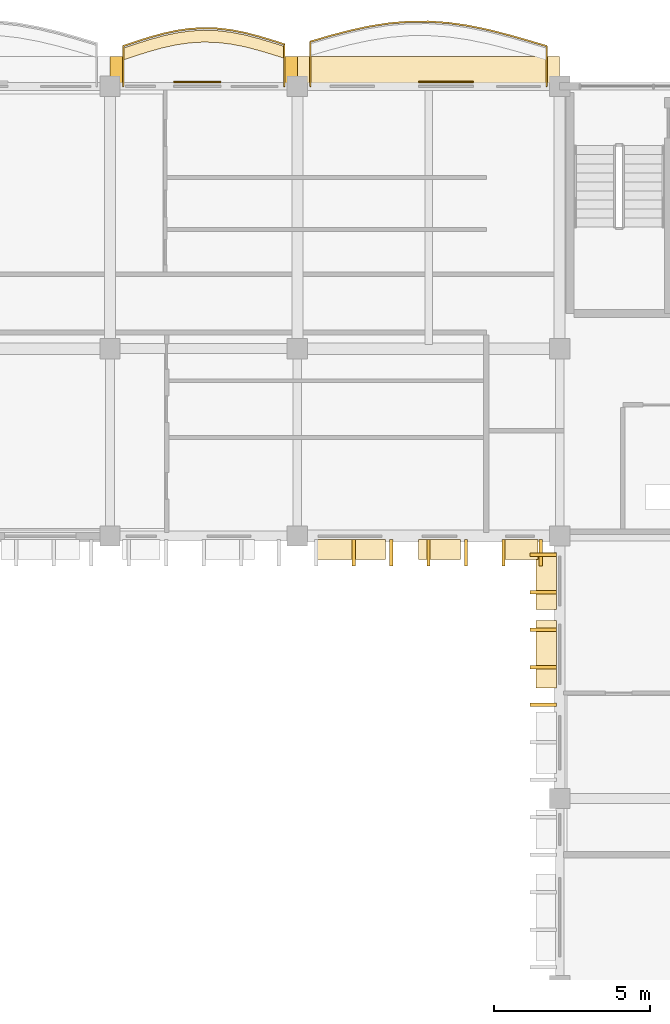
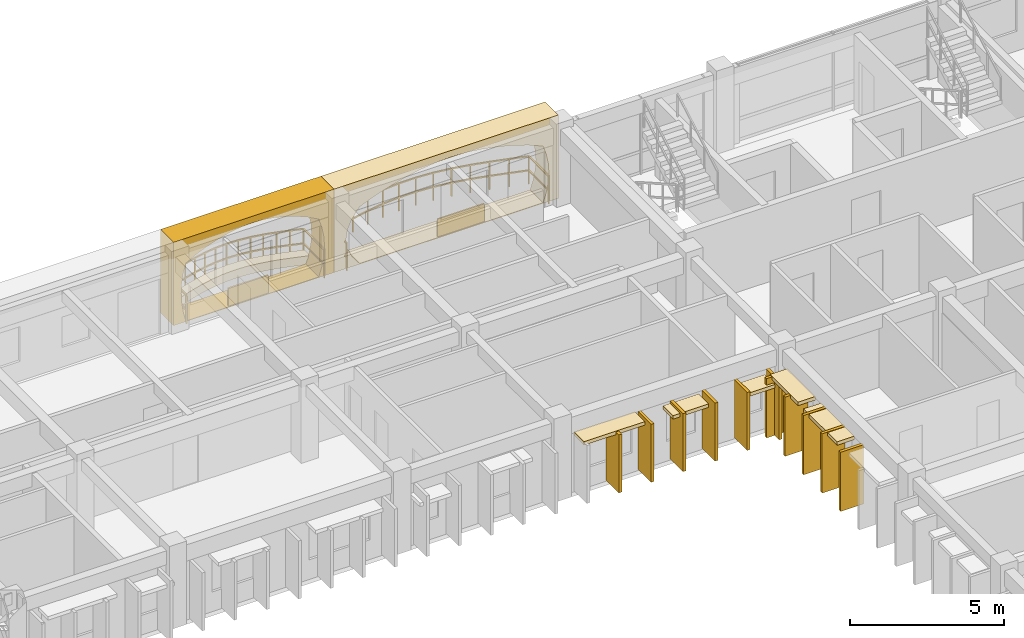
# One storey, part 98 of 101: 21 coverings, 2 railings.
"""IFC4 building model written with IfcOpenShell, lengths in metres."""

from ifc_helpers import new_model, si_unit, direction, frame, origin, origin_2d, place, context, subcontext, project, spatial, polyline, rectangle, outline, extrude, material, layer, layer_set, type_object, element, save


model = new_model("IFC4")

# Units and contexts
model_context = context("Model", 3, precision=1e-05, world=origin(), true_north=direction((0.0, 1.0)))
body_context = subcontext(model_context, "Body", "Model", "MODEL_VIEW")
ifc_project = project(units=[si_unit("LENGTHUNIT", "METRE"), si_unit("AREAUNIT", "SQUARE_METRE"), si_unit("VOLUMEUNIT", "CUBIC_METRE"), si_unit("PLANEANGLEUNIT", "RADIAN"), si_unit("MASSUNIT", "GRAM", prefix="KILO"), si_unit("THERMODYNAMICTEMPERATUREUNIT", "KELVIN")], contexts=[model_context])

# Site, building, storey
site_placement = place(None, origin())
site = spatial("IfcSite", under=ifc_project, at=site_placement, CompositionType="ELEMENT")
building_placement = place(site_placement, origin())
building = spatial("IfcBuilding", under=site, at=building_placement, Name="Thalorik Housing Commons", CompositionType="ELEMENT")
storey_placement = place(building_placement, frame((0.0, 0.0, 8.10009765625)))
storey = spatial("IfcBuildingStorey", under=building, at=storey_placement, Name="L02", CompositionType="ELEMENT", Elevation=8.10009765625)

# Coverings
ifc_material_1 = material(Name="Cobalt blue glazed ceramic facade tile panel", Category="masonry")
ifc_layer_1 = layer(ifc_material_1, 0.06005859375, Name="Cobalt blue glazed ceramic facade tile panel", Category="masonry")
ifc_layer_set_1 = layer_set([ifc_layer_1], Name="Cobalt blue glazed ceramic facade tile panel")
covering_type_1 = type_object("IfcCoveringType", Name="ARC-CLD-BLU-60", PredefinedType="CLADDING", material=ifc_layer_set_1)
covering_1_placement = place(storey_placement, frame((140.7998046875, 123.737548828125, 0.0498046875), z_axis=(0.0, 0.0, 1.0), x_axis=(-1.0, 0.0, 0.0)))
element("IfcCovering", 1, at=covering_1_placement, inside=storey, type_object=covering_type_1, Name="L02 De Stijl Recessed Window Spandrel 1663", PredefinedType="CLADDING", context=body_context, shape_type="SweptSolid", body=[
    extrude(rectangle(XDim=1.5, YDim=0.06005859375, at=origin_2d()), origin(), (0.0, 0.0, 1.0), 0.699951171875),
])
ifc_material_2 = material(Name="Precast concrete C40/50", Category="concrete")
ifc_layer_2 = layer(ifc_material_2, 0.85009765625, Name="Precast concrete C40/50", Category="concrete")
ifc_layer_set_2 = layer_set([ifc_layer_2], Name="Precast concrete C40/50")
covering_type_2 = type_object("IfcCoveringType", Name="ARC-CLD-CUSH-850", PredefinedType="CLADDING", material=ifc_layer_set_2)
covering_2_placement = place(storey_placement, frame((148.199951171875, 124.12744140625, 0.0), z_axis=(0.0, 0.0, 1.0), x_axis=(-1.0, 0.0, 0.0)))
element("IfcCovering", 2, at=covering_2_placement, inside=storey, type_object=covering_type_2, Name="L02 White Precast Curved Cushion Bay Frame 1660", PredefinedType="CLADDING", context=body_context, shape_type="SweptSolid", body=[
    extrude(outline(polyline([(-4.199951171875, 0.0), (4.199951171875, 0.0), (4.199951171875, 3.300048828125), (-4.199951171875, 3.300048828125), (-4.199951171875, 0.0)]), holes=[polyline([(3.239990234375, 0.02490234375), (3.523193359375, 0.399169921875), (3.693359375, 0.773193359375), (3.75, 1.1474609375), (3.693359375, 1.521728515625), (3.523193359375, 1.895751953125), (3.239990234375, 2.27001953125), (2.66748046875, 2.50439453125), (2.094970703125, 2.6884765625), (1.5224609375, 2.837646484375), (0.949951171875, 2.948486328125), (0.37744140625, 3.016845703125), (-0.195068359375, 3.0400390625), (-0.767578125, 3.016845703125), (-1.340087890625, 2.948486328125), (-1.91259765625, 2.837646484375), (-2.485107421875, 2.6884765625), (-3.0576171875, 2.50439453125), (-3.6298828125, 2.27001953125), (-3.750244140625, 1.895751953125), (-3.822509765625, 1.521728515625), (-3.8466796875, 1.1474609375), (-3.822509765625, 0.773193359375), (-3.750244140625, 0.399169921875), (-3.6298828125, 0.02490234375), (3.239990234375, 0.02490234375)])]), frame((0.0, 0.425048828125, 0.0), z_axis=(0.0, -1.0, 0.0), x_axis=(1.0, 0.0, 0.0)), (0.0, 0.0, 1.0), 0.85009765625),
])
covering_3_placement = place(storey_placement, frame((141.0, 124.12744140625, 0.0), z_axis=(0.0, 0.0, 1.0), x_axis=(-1.0, 0.0, 0.0)))
element("IfcCovering", 3, at=covering_3_placement, inside=storey, type_object=covering_type_2, Name="L02 White Precast Curved Cushion Bay Frame 1662", PredefinedType="CLADDING", context=body_context, shape_type="SweptSolid", body=[
    extrude(outline(polyline([(-3.0, 0.0), (3.0, 0.0), (3.0, 3.300048828125), (-3.0, 3.300048828125), (-3.0, 0.0)]), holes=[polyline([(2.545166015625, 0.02490234375), (2.64111328125, 0.407470703125), (2.69873046875, 0.7900390625), (2.718017578125, 1.172607421875), (2.69873046875, 1.554931640625), (2.64111328125, 1.9375), (2.545166015625, 2.320068359375), (2.130615234375, 2.539306640625), (1.716064453125, 2.711181640625), (1.301513671875, 2.8505859375), (0.88671875, 2.954345703125), (0.47216796875, 3.018310546875), (0.0576171875, 3.0400390625), (-0.35693359375, 3.018310546875), (-0.771484375, 2.954345703125), (-1.186279296875, 2.8505859375), (-1.600830078125, 2.711181640625), (-2.015380859375, 2.539306640625), (-2.429931640625, 2.320068359375), (-2.55029296875, 1.9375), (-2.62255859375, 1.554931640625), (-2.646484375, 1.172607421875), (-2.62255859375, 0.7900390625), (-2.55029296875, 0.407470703125), (-2.429931640625, 0.02490234375), (2.545166015625, 0.02490234375)])]), frame((0.0, 0.425048828125, 0.0), z_axis=(0.0, -1.0, 0.0), x_axis=(1.0, 0.0, 0.0)), (0.0, 0.0, 1.0), 0.85009765625),
])
ifc_layer_3 = layer(ifc_material_2, 0.85009765625, Name="Precast concrete C40/50", Category="concrete")
ifc_layer_set_3 = layer_set([ifc_layer_3], Name="Precast concrete C40/50")
covering_type_3 = type_object("IfcCoveringType", Name="ARC-CLD-FIN-850", PredefinedType="CLADDING", material=ifc_layer_set_3)
for number, where, z_axis, x_axis, name in (
    (4, (145.800048828125, 108.672607421875, 0.0400390625), (0.0, 0.0, 1.0), (1.0, 0.0, 0.0), "L02 Courtyard Precast Vertical Brise-Soleil Fin 1772"),
    (5, (147.0, 108.672607421875, 0.0400390625), (0.0, 0.0, 1.0), (1.0, 0.0, 0.0), "L02 Courtyard Precast Vertical Brise-Soleil Fin 1773"),
    (6, (148.199951171875, 108.672607421875, 0.0400390625), (0.0, 0.0, 1.0), (1.0, 0.0, 0.0), "L02 Courtyard Precast Vertical Brise-Soleil Fin 1774"),
    (7, (149.39990234375, 108.672607421875, 0.0400390625), (0.0, 0.0, 1.0), (1.0, 0.0, 0.0), "L02 Courtyard Precast Vertical Brise-Soleil Fin 1775"),
    (8, (150.60009765625, 108.672607421875, 0.0400390625), (0.0, 0.0, 1.0), (1.0, 0.0, 0.0), "L02 Courtyard Precast Vertical Brise-Soleil Fin 1776"),
    (9, (151.800048828125, 108.672607421875, 0.0400390625), (0.0, 0.0, 1.0), (1.0, 0.0, 0.0), "L02 Courtyard Precast Vertical Brise-Soleil Fin 1777"),
):
    element("IfcCovering", number, at=place(storey_placement, frame(where, z_axis=z_axis, x_axis=x_axis)), inside=storey, type_object=covering_type_3, Name=name, PredefinedType="CLADDING", context=body_context, shape_type="SweptSolid", body=[
        extrude(rectangle(XDim=0.110107421875, YDim=0.85009765625, at=origin_2d()), origin(), (0.0, 0.0, 1.0), 2.294921875),
    ])
for number, where, z_axis, x_axis, name in (
    (10, (151.87255859375, 108.60009765625, 0.0400390625), (0.0, 0.0, 1.0), (0.0, -1.0, 0.0), "L02 Courtyard Precast Vertical Brise-Soleil Fin 1781"),
    (11, (151.87255859375, 107.39990234375, 0.0400390625), (0.0, 0.0, 1.0), (0.0, -1.0, 0.0), "L02 Courtyard Precast Vertical Brise-Soleil Fin 1782"),
    (12, (151.87255859375, 106.199951171875, 0.0400390625), (0.0, 0.0, 1.0), (0.0, -1.0, 0.0), "L02 Courtyard Precast Vertical Brise-Soleil Fin 1783"),
    (13, (151.87255859375, 105.0, 0.0400390625), (0.0, 0.0, 1.0), (0.0, -1.0, 0.0), "L02 Courtyard Precast Vertical Brise-Soleil Fin 1784"),
    (14, (151.87255859375, 103.800048828125, 0.0400390625), (0.0, 0.0, 1.0), (0.0, -1.0, 0.0), "L02 Courtyard Precast Vertical Brise-Soleil Fin 1785"),
):
    element("IfcCovering", number, at=place(storey_placement, frame(where, z_axis=z_axis, x_axis=x_axis)), inside=storey, type_object=covering_type_3, Name=name, PredefinedType="CLADDING", context=body_context, shape_type="SweptSolid", body=[
        extrude(rectangle(XDim=0.110107421875, YDim=0.85009765625, at=origin_2d()), origin(), (0.0, 0.0, 1.0), 2.344970703125),
    ])
ifc_layer_4 = layer(ifc_material_2, 0.64990234375, Name="Precast concrete C40/50", Category="concrete")
ifc_layer_set_4 = layer_set([ifc_layer_4], Name="Precast concrete C40/50")
covering_type_4 = type_object("IfcCoveringType", Name="ARC-CLD-HOOD-650", PredefinedType="CLADDING", material=ifc_layer_set_4)
covering_4_placement = place(storey_placement, frame((145.68994140625, 108.7724609375, 2.22509765625), z_axis=(0.0, 0.0, 1.0), x_axis=(1.0, 0.0, 0.0)))
element("IfcCovering", 15, at=covering_4_placement, inside=storey, type_object=covering_type_4, Name="L02 Courtyard Precast Window Sun-Hood 1778", PredefinedType="CLADDING", context=body_context, shape_type="SweptSolid", body=[
    extrude(rectangle(XDim=2.280029296875, YDim=0.64990234375, at=origin_2d()), origin(), (0.0, 0.0, 1.0), 0.139892578125),
])
covering_5_placement = place(storey_placement, frame((148.550048828125, 108.7724609375, 2.08984375), z_axis=(0.0, 0.0, 1.0), x_axis=(1.0, 0.0, 0.0)))
element("IfcCovering", 16, at=covering_5_placement, inside=storey, type_object=covering_type_4, Name="L02 Courtyard Precast Window Sun-Hood 1779", PredefinedType="CLADDING", context=body_context, shape_type="SweptSolid", body=[
    extrude(rectangle(XDim=1.340087890625, YDim=0.64990234375, at=origin_2d()), origin(), (0.0, 0.0, 1.0), 0.139892578125),
])
covering_6_placement = place(storey_placement, frame((151.1298828125, 108.7724609375, 1.98974609375), z_axis=(0.0, 0.0, 1.0), x_axis=(1.0, 0.0, 0.0)))
element("IfcCovering", 17, at=covering_6_placement, inside=storey, type_object=covering_type_4, Name="L02 Courtyard Precast Window Sun-Hood 1780", PredefinedType="CLADDING", context=body_context, shape_type="SweptSolid", body=[
    extrude(rectangle(XDim=1.139892578125, YDim=0.64990234375, at=origin_2d()), origin(), (0.0, 0.0, 1.0), 0.139892578125),
])
covering_7_placement = place(storey_placement, frame((151.972412109375, 107.764892578125, 2.27001953125), z_axis=(0.0, 0.0, 1.0), x_axis=(0.0, -1.0, 0.0)))
element("IfcCovering", 18, at=covering_7_placement, inside=storey, type_object=covering_type_4, Name="L02 Courtyard Precast Window Sun-Hood 1788", PredefinedType="CLADDING", context=body_context, shape_type="SweptSolid", body=[
    extrude(rectangle(XDim=1.820068359375, YDim=0.64990234375, at=origin_2d()), origin(), (0.0, 0.0, 1.0), 0.139892578125),
])
covering_8_placement = place(storey_placement, frame((151.972412109375, 105.4150390625, 2.22998046875), z_axis=(0.0, 0.0, 1.0), x_axis=(0.0, -1.0, 0.0)))
element("IfcCovering", 19, at=covering_8_placement, inside=storey, type_object=covering_type_4, Name="L02 Courtyard Precast Window Sun-Hood 1789", PredefinedType="CLADDING", context=body_context, shape_type="SweptSolid", body=[
    extrude(rectangle(XDim=2.159912109375, YDim=0.64990234375, at=origin_2d()), origin(), (0.0, 0.0, 1.0), 0.139892578125),
])
ifc_material_3 = material(Name="Terracotta red mineral fibre-cement panel", Category="masonry")
ifc_layer_5 = layer(ifc_material_3, 0.054931640625, Name="Terracotta red mineral fibre-cement panel", Category="masonry")
ifc_layer_set_5 = layer_set([ifc_layer_5], Name="Terracotta red mineral fibre-cement panel")
covering_type_5 = type_object("IfcCoveringType", Name="ARC-CLD-RED-55", PredefinedType="CLADDING", material=ifc_layer_set_5)
covering_9_placement = place(storey_placement, frame((148.760009765625, 123.735107421875, 0.0498046875), z_axis=(0.0, 0.0, 1.0), x_axis=(-1.0, 0.0, 0.0)))
element("IfcCovering", 20, at=covering_9_placement, inside=storey, type_object=covering_type_5, Name="L02 De Stijl Recessed Window Spandrel 1661", PredefinedType="CLADDING", context=body_context, shape_type="SweptSolid", body=[
    extrude(rectangle(XDim=1.75, YDim=0.054931640625, at=origin_2d()), origin(), (0.0, 0.0, 1.0), 0.699951171875),
])
ifc_material_4 = material(Name="Planted vegetated substrate and terracotta trough", Category="masonry")
ifc_layer_6 = layer(ifc_material_4, 0.340087890625, Name="Planted vegetated substrate and terracotta trough", Category="masonry")
ifc_layer_set_6 = layer_set([ifc_layer_6], Name="Planted vegetated substrate and terracotta trough")
covering_type_6 = type_object("IfcCoveringType", Name="ARC-COV-PLANTER", PredefinedType="USERDEFINED", material=ifc_layer_set_6)
covering_10_placement = place(storey_placement, origin())
element("IfcCovering", 21, at=covering_10_placement, inside=storey, type_object=covering_type_6, Name="L02 Balcony Slab-Edge Planted Trough 5425", ObjectType="PLANTER", PredefinedType="USERDEFINED", context=body_context, shape_type="SweptSolid", body=[
    extrude(outline(polyline([(143.580078125, 124.877197265625), (143.14990234375, 125.014404296875), (142.719970703125, 125.141845703125), (142.2900390625, 125.2509765625), (141.860107421875, 125.333251953125), (141.429931640625, 125.383056640625), (141.0, 125.39599609375), (140.570068359375, 125.37158203125), (140.139892578125, 125.310791015625), (139.7099609375, 125.218017578125), (139.280029296875, 125.099853515625), (138.85009765625, 124.964599609375), (138.419921875, 124.82177734375), (138.419921875, 124.441650390625), (138.85009765625, 124.584716796875), (139.280029296875, 124.719970703125), (139.7099609375, 124.838134765625), (140.139892578125, 124.930908203125), (140.570068359375, 124.991455078125), (141.0, 125.01611328125), (141.429931640625, 125.0029296875), (141.860107421875, 124.953369140625), (142.2900390625, 124.87109375), (142.719970703125, 124.761962890625), (143.14990234375, 124.63427734375), (143.580078125, 124.497314453125), (143.580078125, 124.877197265625)])), origin(), (0.0, 0.0, 1.0), 0.33984375),
])

# Railings
ifc_material_5 = material(Name="Steel S355", Category="steel")
railing_type_1 = type_object("IfcRailingType", Name="ARC-RL-BAL-112", PredefinedType="BALUSTRADE", material=ifc_material_5)
railing_1_placement = place(storey_placement, frame((151.97998046875, 123.60009765625, 0.0)))
element("IfcRailing", 22, at=railing_1_placement, inside=storey, type_object=railing_type_1, Name="L02 Cushion Balcony Guardrail 110", PredefinedType="BALUSTRADE", context=body_context, shape_type="SweptSolid", body=[
    extrude(rectangle(XDim=0.050048828125, YDim=0.050048828125, at=origin_2d()), frame((0.0, 0.0, 1.09521484375), z_axis=(0.0, 1.0, 0.0), x_axis=(-1.0, 0.0, 0.0)), (0.0, 0.0, 1.0), 1.289306640625),
    extrude(rectangle(XDim=0.050048828125, YDim=0.050048828125, at=origin_2d()), frame((0.0, 0.0, 0.53515625), z_axis=(0.0, 1.0, 0.0), x_axis=(-1.0, 0.0, 0.0)), (0.0, 0.0, 1.0), 1.289306640625),
    extrude(rectangle(XDim=0.050048828125, YDim=0.050048828125, at=origin_2d()), frame((0.0, 1.289306640625, 1.09521484375), z_axis=(-0.959347736603, 0.282226717861, 0.0), x_axis=(-0.282226717861, -0.959347736603, 0.0)), (0.0, 0.0, 1.0), 0.656494140625),
    extrude(rectangle(XDim=0.050048828125, YDim=0.050048828125, at=origin_2d()), frame((0.0, 1.289306640625, 0.53515625), z_axis=(-0.959347736603, 0.282226717861, 0.0), x_axis=(-0.282226717861, -0.959347736603, 0.0)), (0.0, 0.0, 1.0), 0.656494140625),
    extrude(rectangle(XDim=0.050048828125, YDim=0.050048828125, at=origin_2d()), frame((-0.6298828125, 1.474609375, 1.09521484375), z_axis=(-0.962056630999, 0.272849846529, 0.0), x_axis=(-0.272849846529, -0.962056630999, 0.0)), (0.0, 0.0, 1.0), 0.655029296875),
    extrude(rectangle(XDim=0.050048828125, YDim=0.050048828125, at=origin_2d()), frame((-0.6298828125, 1.474609375, 0.53515625), z_axis=(-0.962056630999, 0.272849846529, 0.0), x_axis=(-0.272849846529, -0.962056630999, 0.0)), (0.0, 0.0, 1.0), 0.655029296875),
    extrude(rectangle(XDim=0.050048828125, YDim=0.050048828125, at=origin_2d()), frame((-1.260009765625, 1.6533203125, 1.09521484375), z_axis=(-0.969520404283, 0.245010582788, 0.0), x_axis=(-0.245010582788, -0.969520404283, 0.0)), (0.0, 0.0, 1.0), 0.649658203125),
    extrude(rectangle(XDim=0.050048828125, YDim=0.050048828125, at=origin_2d()), frame((-1.260009765625, 1.6533203125, 0.53515625), z_axis=(-0.969520404283, 0.245010582788, 0.0), x_axis=(-0.245010582788, -0.969520404283, 0.0)), (0.0, 0.0, 1.0), 0.649658203125),
    extrude(rectangle(XDim=0.050048828125, YDim=0.050048828125, at=origin_2d()), frame((-1.889892578125, 1.8125, 1.09521484375), z_axis=(-0.979635255397, 0.200785373927, 0.0), x_axis=(-0.200785373927, -0.979635255397, 0.0)), (0.0, 0.0, 1.0), 0.643310546875),
    extrude(rectangle(XDim=0.050048828125, YDim=0.050048828125, at=origin_2d()), frame((-1.889892578125, 1.8125, 0.53515625), z_axis=(-0.979635255397, 0.200785373927, 0.0), x_axis=(-0.200785373927, -0.979635255397, 0.0)), (0.0, 0.0, 1.0), 0.643310546875),
    extrude(rectangle(XDim=0.050048828125, YDim=0.050048828125, at=origin_2d()), frame((-2.52001953125, 1.941650390625, 1.09521484375), z_axis=(-0.990033738759, 0.140830380668, 0.0), x_axis=(-0.140830380668, -0.990033738759, 0.0)), (0.0, 0.0, 1.0), 0.63623046875),
    extrude(rectangle(XDim=0.050048828125, YDim=0.050048828125, at=origin_2d()), frame((-2.52001953125, 1.941650390625, 0.53515625), z_axis=(-0.990033738759, 0.140830380668, 0.0), x_axis=(-0.140830380668, -0.990033738759, 0.0)), (0.0, 0.0, 1.0), 0.63623046875),
    extrude(rectangle(XDim=0.050048828125, YDim=0.050048828125, at=origin_2d()), frame((-3.14990234375, 2.03125, 1.09521484375), z_axis=(-0.997576972688, 0.069571427774, 0.0), x_axis=(-0.069571427774, -0.997576972688, 0.0)), (0.0, 0.0, 1.0), 0.631591796875),
    extrude(rectangle(XDim=0.050048828125, YDim=0.050048828125, at=origin_2d()), frame((-3.14990234375, 2.03125, 0.53515625), z_axis=(-0.997576972688, 0.069571427774, 0.0), x_axis=(-0.069571427774, -0.997576972688, 0.0)), (0.0, 0.0, 1.0), 0.631591796875),
    extrude(rectangle(XDim=0.050048828125, YDim=0.050048828125, at=origin_2d()), frame((-3.780029296875, 2.0751953125, 1.09521484375), z_axis=(-0.999972884343, -0.007364141396, 0.0), x_axis=(0.007364141396, -0.999972884343, 0.0)), (0.0, 0.0, 1.0), 0.6298828125),
    extrude(rectangle(XDim=0.050048828125, YDim=0.050048828125, at=origin_2d()), frame((-3.780029296875, 2.0751953125, 0.53515625), z_axis=(-0.999972884343, -0.007364141396, 0.0), x_axis=(0.007364141396, -0.999972884343, 0.0)), (0.0, 0.0, 1.0), 0.6298828125),
    extrude(rectangle(XDim=0.050048828125, YDim=0.050048828125, at=origin_2d()), frame((-4.409912109375, 2.070556640625, 1.09521484375), z_axis=(-0.996451941002, -0.084163705207, 0.0), x_axis=(0.084163705207, -0.996451941002, 0.0)), (0.0, 0.0, 1.0), 0.63232421875),
    extrude(rectangle(XDim=0.050048828125, YDim=0.050048828125, at=origin_2d()), frame((-4.409912109375, 2.070556640625, 0.53515625), z_axis=(-0.996451941002, -0.084163705207, 0.0), x_axis=(0.084163705207, -0.996451941002, 0.0)), (0.0, 0.0, 1.0), 0.63232421875),
    extrude(rectangle(XDim=0.050048828125, YDim=0.050048828125, at=origin_2d()), frame((-5.0400390625, 2.017333984375, 1.09521484375), z_axis=(-0.988019333947, -0.154330151775, 0.0), x_axis=(0.154330151775, -0.988019333947, 0.0)), (0.0, 0.0, 1.0), 0.637451171875),
    extrude(rectangle(XDim=0.050048828125, YDim=0.050048828125, at=origin_2d()), frame((-5.0400390625, 2.017333984375, 0.53515625), z_axis=(-0.988019333947, -0.154330151775, 0.0), x_axis=(0.154330151775, -0.988019333947, 0.0)), (0.0, 0.0, 1.0), 0.637451171875),
    extrude(rectangle(XDim=0.050048828125, YDim=0.050048828125, at=origin_2d()), frame((-5.669921875, 1.9189453125, 1.09521484375), z_axis=(-0.977261717402, -0.212036637638, 0.0), x_axis=(0.212036637638, -0.977261717402, 0.0)), (0.0, 0.0, 1.0), 0.644775390625),
    extrude(rectangle(XDim=0.050048828125, YDim=0.050048828125, at=origin_2d()), frame((-5.669921875, 1.9189453125, 0.53515625), z_axis=(-0.977261717402, -0.212036637638, 0.0), x_axis=(0.212036637638, -0.977261717402, 0.0)), (0.0, 0.0, 1.0), 0.644775390625),
    extrude(rectangle(XDim=0.050048828125, YDim=0.050048828125, at=origin_2d()), frame((-6.300048828125, 1.7822265625, 1.09521484375), z_axis=(-0.967161884904, -0.254161146498, 0.0), x_axis=(0.254161146498, -0.967161884904, 0.0)), (0.0, 0.0, 1.0), 0.6513671875),
    extrude(rectangle(XDim=0.050048828125, YDim=0.050048828125, at=origin_2d()), frame((-6.300048828125, 1.7822265625, 0.53515625), z_axis=(-0.967161884904, -0.254161146498, 0.0), x_axis=(0.254161146498, -0.967161884904, 0.0)), (0.0, 0.0, 1.0), 0.6513671875),
    extrude(rectangle(XDim=0.050048828125, YDim=0.050048828125, at=origin_2d()), frame((-6.929931640625, 1.61669921875, 1.09521484375), z_axis=(-0.960278714224, -0.279042632959, 0.0), x_axis=(0.279042632959, -0.960278714224, 0.0)), (0.0, 0.0, 1.0), 0.65625),
    extrude(rectangle(XDim=0.050048828125, YDim=0.050048828125, at=origin_2d()), frame((-6.929931640625, 1.61669921875, 0.53515625), z_axis=(-0.960278714224, -0.279042632959, 0.0), x_axis=(0.279042632959, -0.960278714224, 0.0)), (0.0, 0.0, 1.0), 0.65625),
    extrude(rectangle(XDim=0.050048828125, YDim=0.050048828125, at=origin_2d()), frame((-7.56005859375, 1.43359375, 1.09521484375), z_axis=(0.0, -1.0, 0.0), x_axis=(1.0, 0.0, 0.0)), (0.0, 0.0, 1.0), 1.43359375),
    extrude(rectangle(XDim=0.050048828125, YDim=0.050048828125, at=origin_2d()), frame((-7.56005859375, 1.43359375, 0.53515625), z_axis=(0.0, -1.0, 0.0), x_axis=(1.0, 0.0, 0.0)), (0.0, 0.0, 1.0), 1.43359375),
    extrude(rectangle(XDim=0.0419921875, YDim=0.0419921875, at=origin_2d()), origin(), (0.0, 0.0, 1.0), 1.070068359375),
    extrude(rectangle(XDim=0.0419921875, YDim=0.0419921875, at=origin_2d()), frame((0.0, 1.289306640625, 0.0)), (0.0, 0.0, 1.0), 1.070068359375),
    extrude(rectangle(XDim=0.0419921875, YDim=0.0419921875, at=origin_2d()), frame((-0.6298828125, 1.474609375, 0.0)), (0.0, 0.0, 1.0), 1.070068359375),
    extrude(rectangle(XDim=0.0419921875, YDim=0.0419921875, at=origin_2d()), frame((-1.260009765625, 1.6533203125, 0.0)), (0.0, 0.0, 1.0), 1.070068359375),
    extrude(rectangle(XDim=0.0419921875, YDim=0.0419921875, at=origin_2d()), frame((-1.889892578125, 1.8125, 0.0)), (0.0, 0.0, 1.0), 1.070068359375),
    extrude(rectangle(XDim=0.0419921875, YDim=0.0419921875, at=origin_2d()), frame((-2.52001953125, 1.941650390625, 0.0)), (0.0, 0.0, 1.0), 1.070068359375),
    extrude(rectangle(XDim=0.0419921875, YDim=0.0419921875, at=origin_2d()), frame((-3.14990234375, 2.03125, 0.0)), (0.0, 0.0, 1.0), 1.070068359375),
    extrude(rectangle(XDim=0.0419921875, YDim=0.0419921875, at=origin_2d()), frame((-3.780029296875, 2.0751953125, 0.0)), (0.0, 0.0, 1.0), 1.070068359375),
    extrude(rectangle(XDim=0.0419921875, YDim=0.0419921875, at=origin_2d()), frame((-4.409912109375, 2.070556640625, 0.0)), (0.0, 0.0, 1.0), 1.070068359375),
    extrude(rectangle(XDim=0.0419921875, YDim=0.0419921875, at=origin_2d()), frame((-5.0400390625, 2.017333984375, 0.0)), (0.0, 0.0, 1.0), 1.070068359375),
    extrude(rectangle(XDim=0.0419921875, YDim=0.0419921875, at=origin_2d()), frame((-5.669921875, 1.9189453125, 0.0)), (0.0, 0.0, 1.0), 1.070068359375),
    extrude(rectangle(XDim=0.0419921875, YDim=0.0419921875, at=origin_2d()), frame((-6.300048828125, 1.7822265625, 0.0)), (0.0, 0.0, 1.0), 1.070068359375),
    extrude(rectangle(XDim=0.0419921875, YDim=0.0419921875, at=origin_2d()), frame((-6.929931640625, 1.61669921875, 0.0)), (0.0, 0.0, 1.0), 1.070068359375),
    extrude(rectangle(XDim=0.0419921875, YDim=0.0419921875, at=origin_2d()), frame((-7.56005859375, 1.43359375, 0.0)), (0.0, 0.0, 1.0), 1.070068359375),
    extrude(rectangle(XDim=0.0419921875, YDim=0.0419921875, at=origin_2d()), frame((-7.56005859375, 0.0, 0.0)), (0.0, 0.0, 1.0), 1.070068359375),
])
railing_type_2 = type_object("IfcRailingType", Name="ARC-RL-BAL-115", PredefinedType="BALUSTRADE", material=ifc_material_5)
railing_2_placement = place(storey_placement, frame((143.580078125, 123.60009765625, 0.0)))
element("IfcRailing", 23, at=railing_2_placement, inside=storey, type_object=railing_type_2, Name="L02 Cushion Balcony Guardrail 109", PredefinedType="BALUSTRADE", context=body_context, shape_type="SweptSolid", body=[
    extrude(rectangle(XDim=0.050048828125, YDim=0.050048828125, at=origin_2d()), frame((0.0, 0.0, 1.125), z_axis=(0.0, 1.0, 0.0), x_axis=(-1.0, 0.0, 0.0)), (0.0, 0.0, 1.0), 1.34716796875),
    extrude(rectangle(XDim=0.050048828125, YDim=0.050048828125, at=origin_2d()), frame((0.0, 0.0, 0.5498046875), z_axis=(0.0, 1.0, 0.0), x_axis=(-1.0, 0.0, 0.0)), (0.0, 0.0, 1.0), 1.34716796875),
    extrude(rectangle(XDim=0.050048828125, YDim=0.050048828125, at=origin_2d()), frame((0.0, 1.34716796875, 1.125), z_axis=(-0.952868945001, 0.303382223692, 0.0), x_axis=(-0.303382223692, -0.952868945001, 0.0)), (0.0, 0.0, 1.0), 0.451416015625),
    extrude(rectangle(XDim=0.050048828125, YDim=0.050048828125, at=origin_2d()), frame((0.0, 1.34716796875, 0.5498046875), z_axis=(-0.952868945001, 0.303382223692, 0.0), x_axis=(-0.303382223692, -0.952868945001, 0.0)), (0.0, 0.0, 1.0), 0.451416015625),
    extrude(rectangle(XDim=0.050048828125, YDim=0.050048828125, at=origin_2d()), frame((-0.43017578125, 1.484130859375, 1.125), z_axis=(-0.958616693349, 0.284699903817, 0.0), x_axis=(-0.284699903817, -0.958616693349, 0.0)), (0.0, 0.0, 1.0), 0.448486328125),
    extrude(rectangle(XDim=0.050048828125, YDim=0.050048828125, at=origin_2d()), frame((-0.43017578125, 1.484130859375, 0.5498046875), z_axis=(-0.958616693349, 0.284699903817, 0.0), x_axis=(-0.284699903817, -0.958616693349, 0.0)), (0.0, 0.0, 1.0), 0.448486328125),
    extrude(rectangle(XDim=0.050048828125, YDim=0.050048828125, at=origin_2d()), frame((-0.860107421875, 1.61181640625, 1.125), z_axis=(-0.969262026984, 0.246030735981, 0.0), x_axis=(-0.246030735981, -0.969262026984, 0.0)), (0.0, 0.0, 1.0), 0.443603515625),
    extrude(rectangle(XDim=0.050048828125, YDim=0.050048828125, at=origin_2d()), frame((-0.860107421875, 1.61181640625, 0.5498046875), z_axis=(-0.969262026984, 0.246030735981, 0.0), x_axis=(-0.246030735981, -0.969262026984, 0.0)), (0.0, 0.0, 1.0), 0.443603515625),
    extrude(rectangle(XDim=0.050048828125, YDim=0.050048828125, at=origin_2d()), frame((-1.2900390625, 1.720947265625, 1.125), z_axis=(-0.982177105066, 0.187957799209, 0.0), x_axis=(-0.187957799209, -0.982177105066, 0.0)), (0.0, 0.0, 1.0), 0.437744140625),
    extrude(rectangle(XDim=0.050048828125, YDim=0.050048828125, at=origin_2d()), frame((-1.2900390625, 1.720947265625, 0.5498046875), z_axis=(-0.982177105066, 0.187957799209, 0.0), x_axis=(-0.187957799209, -0.982177105066, 0.0)), (0.0, 0.0, 1.0), 0.437744140625),
    extrude(rectangle(XDim=0.050048828125, YDim=0.050048828125, at=origin_2d()), frame((-1.719970703125, 1.80322265625, 1.125), z_axis=(-0.993428674956, 0.114452906366, 0.0), x_axis=(-0.114452906366, -0.993428674956, 0.0)), (0.0, 0.0, 1.0), 0.43310546875),
    extrude(rectangle(XDim=0.050048828125, YDim=0.050048828125, at=origin_2d()), frame((-1.719970703125, 1.80322265625, 0.5498046875), z_axis=(-0.993428674956, 0.114452906366, 0.0), x_axis=(-0.114452906366, -0.993428674956, 0.0)), (0.0, 0.0, 1.0), 0.43310546875),
    extrude(rectangle(XDim=0.050048828125, YDim=0.050048828125, at=origin_2d()), frame((-2.150146484375, 1.852783203125, 1.125), z_axis=(-0.999530178738, 0.030649988445, 0.0), x_axis=(-0.030649988445, -0.999530178738, 0.0)), (0.0, 0.0, 1.0), 0.43017578125),
    extrude(rectangle(XDim=0.050048828125, YDim=0.050048828125, at=origin_2d()), frame((-2.150146484375, 1.852783203125, 0.5498046875), z_axis=(-0.999530178738, 0.030649988445, 0.0), x_axis=(-0.030649988445, -0.999530178738, 0.0)), (0.0, 0.0, 1.0), 0.43017578125),
    extrude(rectangle(XDim=0.050048828125, YDim=0.050048828125, at=origin_2d()), frame((-2.580078125, 1.865966796875, 1.125), z_axis=(-0.998359318778, -0.057259677, 0.0), x_axis=(0.057259677, -0.998359318778, 0.0)), (0.0, 0.0, 1.0), 0.4306640625),
    extrude(rectangle(XDim=0.050048828125, YDim=0.050048828125, at=origin_2d()), frame((-2.580078125, 1.865966796875, 0.5498046875), z_axis=(-0.998359318778, -0.057259677, 0.0), x_axis=(0.057259677, -0.998359318778, 0.0)), (0.0, 0.0, 1.0), 0.4306640625),
    extrude(rectangle(XDim=0.050048828125, YDim=0.050048828125, at=origin_2d()), frame((-3.010009765625, 1.84130859375, 1.125), z_axis=(-0.990239618738, -0.139375383341, 0.0), x_axis=(0.139375383341, -0.990239618738, 0.0)), (0.0, 0.0, 1.0), 0.434326171875),
    extrude(rectangle(XDim=0.050048828125, YDim=0.050048828125, at=origin_2d()), frame((-3.010009765625, 1.84130859375, 0.5498046875), z_axis=(-0.990239618738, -0.139375383341, 0.0), x_axis=(0.139375383341, -0.990239618738, 0.0)), (0.0, 0.0, 1.0), 0.434326171875),
    extrude(rectangle(XDim=0.050048828125, YDim=0.050048828125, at=origin_2d()), frame((-3.440185546875, 1.78076171875, 1.125), z_axis=(-0.977500851063, -0.210931472688, 0.0), x_axis=(0.210931472688, -0.977500851063, 0.0)), (0.0, 0.0, 1.0), 0.43994140625),
    extrude(rectangle(XDim=0.050048828125, YDim=0.050048828125, at=origin_2d()), frame((-3.440185546875, 1.78076171875, 0.5498046875), z_axis=(-0.977500851063, -0.210931472688, 0.0), x_axis=(0.210931472688, -0.977500851063, 0.0)), (0.0, 0.0, 1.0), 0.43994140625),
    extrude(rectangle(XDim=0.050048828125, YDim=0.050048828125, at=origin_2d()), frame((-3.8701171875, 1.68798828125, 1.125), z_axis=(-0.964243880098, -0.265016489476, 0.0), x_axis=(0.265016489476, -0.964243880098, 0.0)), (0.0, 0.0, 1.0), 0.44580078125),
    extrude(rectangle(XDim=0.050048828125, YDim=0.050048828125, at=origin_2d()), frame((-3.8701171875, 1.68798828125, 0.5498046875), z_axis=(-0.964243880098, -0.265016489476, 0.0), x_axis=(0.265016489476, -0.964243880098, 0.0)), (0.0, 0.0, 1.0), 0.44580078125),
    extrude(rectangle(XDim=0.050048828125, YDim=0.050048828125, at=origin_2d()), frame((-4.300048828125, 1.56982421875, 1.125), z_axis=(-0.953909569084, -0.300094208559, 0.0), x_axis=(0.300094208559, -0.953909569084, 0.0)), (0.0, 0.0, 1.0), 0.45068359375),
    extrude(rectangle(XDim=0.050048828125, YDim=0.050048828125, at=origin_2d()), frame((-4.300048828125, 1.56982421875, 0.5498046875), z_axis=(-0.953909569084, -0.300094208559, 0.0), x_axis=(0.300094208559, -0.953909569084, 0.0)), (0.0, 0.0, 1.0), 0.45068359375),
    extrude(rectangle(XDim=0.050048828125, YDim=0.050048828125, at=origin_2d()), frame((-4.72998046875, 1.4345703125, 1.125), z_axis=(-0.9488984919, -0.315581450768, 0.0), x_axis=(0.315581450768, -0.9488984919, 0.0)), (0.0, 0.0, 1.0), 0.453369140625),
    extrude(rectangle(XDim=0.050048828125, YDim=0.050048828125, at=origin_2d()), frame((-4.72998046875, 1.4345703125, 0.5498046875), z_axis=(-0.9488984919, -0.315581450768, 0.0), x_axis=(0.315581450768, -0.9488984919, 0.0)), (0.0, 0.0, 1.0), 0.453369140625),
    extrude(rectangle(XDim=0.050048828125, YDim=0.050048828125, at=origin_2d()), frame((-5.16015625, 1.29150390625, 1.125), z_axis=(0.0, -1.0, 0.0), x_axis=(1.0, 0.0, 0.0)), (0.0, 0.0, 1.0), 1.29150390625),
    extrude(rectangle(XDim=0.050048828125, YDim=0.050048828125, at=origin_2d()), frame((-5.16015625, 1.29150390625, 0.5498046875), z_axis=(0.0, -1.0, 0.0), x_axis=(1.0, 0.0, 0.0)), (0.0, 0.0, 1.0), 1.29150390625),
    extrude(rectangle(XDim=0.0419921875, YDim=0.0419921875, at=origin_2d()), origin(), (0.0, 0.0, 1.0), 1.099853515625),
    extrude(rectangle(XDim=0.0419921875, YDim=0.0419921875, at=origin_2d()), frame((0.0, 1.34716796875, 0.0)), (0.0, 0.0, 1.0), 1.099853515625),
    extrude(rectangle(XDim=0.0419921875, YDim=0.0419921875, at=origin_2d()), frame((-0.43017578125, 1.484130859375, 0.0)), (0.0, 0.0, 1.0), 1.099853515625),
    extrude(rectangle(XDim=0.0419921875, YDim=0.0419921875, at=origin_2d()), frame((-0.860107421875, 1.61181640625, 0.0)), (0.0, 0.0, 1.0), 1.099853515625),
    extrude(rectangle(XDim=0.0419921875, YDim=0.0419921875, at=origin_2d()), frame((-1.2900390625, 1.720947265625, 0.0)), (0.0, 0.0, 1.0), 1.099853515625),
    extrude(rectangle(XDim=0.0419921875, YDim=0.0419921875, at=origin_2d()), frame((-1.719970703125, 1.80322265625, 0.0)), (0.0, 0.0, 1.0), 1.099853515625),
    extrude(rectangle(XDim=0.0419921875, YDim=0.0419921875, at=origin_2d()), frame((-2.150146484375, 1.852783203125, 0.0)), (0.0, 0.0, 1.0), 1.099853515625),
    extrude(rectangle(XDim=0.0419921875, YDim=0.0419921875, at=origin_2d()), frame((-2.580078125, 1.865966796875, 0.0)), (0.0, 0.0, 1.0), 1.099853515625),
    extrude(rectangle(XDim=0.0419921875, YDim=0.0419921875, at=origin_2d()), frame((-3.010009765625, 1.84130859375, 0.0)), (0.0, 0.0, 1.0), 1.099853515625),
    extrude(rectangle(XDim=0.0419921875, YDim=0.0419921875, at=origin_2d()), frame((-3.440185546875, 1.78076171875, 0.0)), (0.0, 0.0, 1.0), 1.099853515625),
    extrude(rectangle(XDim=0.0419921875, YDim=0.0419921875, at=origin_2d()), frame((-3.8701171875, 1.68798828125, 0.0)), (0.0, 0.0, 1.0), 1.099853515625),
    extrude(rectangle(XDim=0.0419921875, YDim=0.0419921875, at=origin_2d()), frame((-4.300048828125, 1.56982421875, 0.0)), (0.0, 0.0, 1.0), 1.099853515625),
    extrude(rectangle(XDim=0.0419921875, YDim=0.0419921875, at=origin_2d()), frame((-4.72998046875, 1.4345703125, 0.0)), (0.0, 0.0, 1.0), 1.099853515625),
    extrude(rectangle(XDim=0.0419921875, YDim=0.0419921875, at=origin_2d()), frame((-5.16015625, 1.29150390625, 0.0)), (0.0, 0.0, 1.0), 1.099853515625),
    extrude(rectangle(XDim=0.0419921875, YDim=0.0419921875, at=origin_2d()), frame((-5.16015625, 0.0, 0.0)), (0.0, 0.0, 1.0), 1.099853515625),
])

save(model, "model.ifc")
